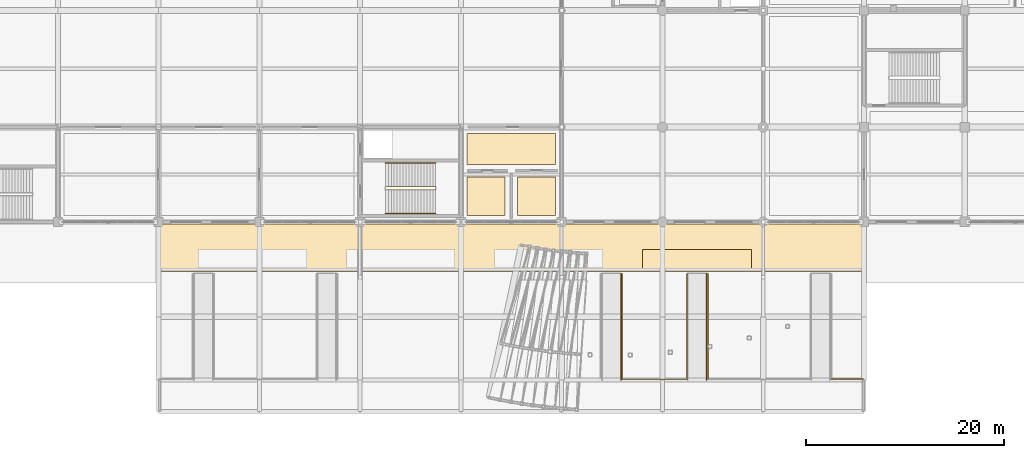
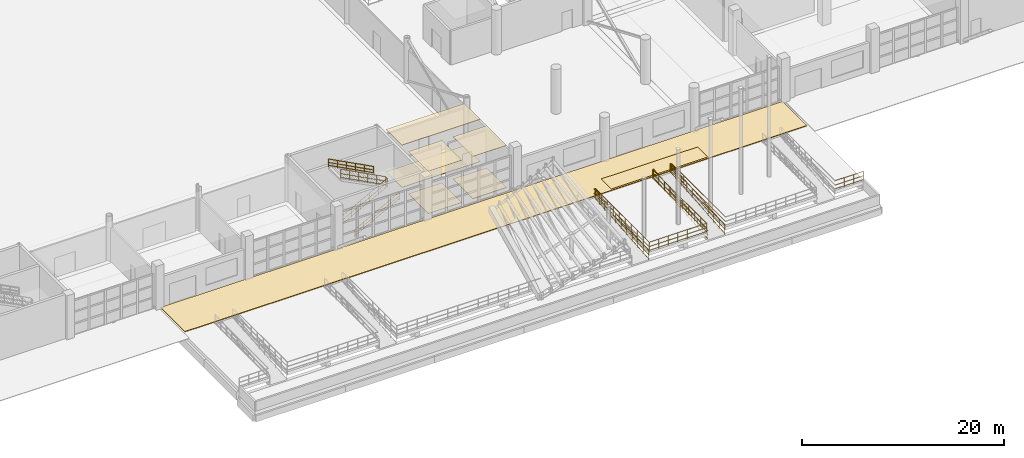
# One storey, part 116 of 124: 10 railings, 8 coverings.
"""IFC4 building model written with IfcOpenShell, lengths in metres."""

import ifcopenshell
import ifcopenshell.guid

model = None  # the IFC model being written
_history = None  # IfcOwnerHistory: only IFC2X3 demands one
_inside = {}  # id of a spatial element -> (the spatial element, [elements in it])
_under = {}  # id of a project, library or spatial element -> (it, [spatial elements below it])
_declared = {}  # id of a project -> (the project, [libraries it declares])
_typed = {}  # id of a type object -> (the type object, [elements of that type])
_made_of = {}  # id of a material, layer set ... -> (it, [elements and type objects made of it])


def new_model(schema):
    """Start an empty IFC model of exactly this schema.

    Asked for "IFC4X3", IfcOpenShell would pick the latest addendum, in which some entities
    have other attributes; the version numbers below select the first issue.
    IFC2X3 requires an IfcOwnerHistory on every rooted entity: one is made here for all.
    """
    global model, _history
    if schema == "IFC4X3":
        model = ifcopenshell.file(schema_version=(4, 3, 0, 0))
    else:
        model = ifcopenshell.file(schema=schema)
    _inside.clear()
    _under.clear()
    _declared.clear()
    _typed.clear()
    _made_of.clear()
    _history = None
    if model.schema == "IFC2X3":
        org = make("IfcOrganization", Name="unknown")
        user = make(
            "IfcPersonAndOrganization",
            ThePerson=make("IfcPerson", FamilyName="unknown"),
            TheOrganization=org,
        )
        app = make(
            "IfcApplication",
            ApplicationDeveloper=org,
            Version="unknown",
            ApplicationFullName="unknown",
            ApplicationIdentifier="unknown",
        )
        _history = make(
            "IfcOwnerHistory",
            OwningUser=user,
            OwningApplication=app,
            ChangeAction="ADDED",
            CreationDate=0,
        )
    return model


def make(cls, **values):
    """One entity of the class cls with the attributes given. An attribute that is None is left unset."""
    return model.create_entity(
        cls, **{name: value for name, value in values.items() if value is not None}
    )


def rooted(cls, **values):
    """An entity with a GlobalId (a new one), such as an element, a storey or a relation."""
    return make(cls, GlobalId=ifcopenshell.guid.new(), OwnerHistory=_history, **values)


def si_unit(unit_type, name, prefix=None):
    """IfcSIUnit, for example si_unit("LENGTHUNIT", "METRE", prefix="MILLI")."""
    return make("IfcSIUnit", UnitType=unit_type, Prefix=prefix, Name=name)


def assignment(units):
    """IfcUnitAssignment: the units of a project."""
    return None if units is None else make("IfcUnitAssignment", Units=units)


def point(xyz):
    """IfcCartesianPoint."""
    return None if xyz is None else make("IfcCartesianPoint", Coordinates=xyz)


def direction(xyz):
    """IfcDirection."""
    return None if xyz is None else make("IfcDirection", DirectionRatios=xyz)


def frame(location, z_axis=None, x_axis=None):
    """IfcAxis2Placement3D, a coordinate frame: its origin and axes. An axis left out is left unset."""
    return make(
        "IfcAxis2Placement3D",
        Location=point(location),
        Axis=direction(z_axis),
        RefDirection=direction(x_axis),
    )


def frame_2d(location, x_axis=None):
    """IfcAxis2Placement2D, a coordinate frame in the plane: its origin and x axis."""
    return make(
        "IfcAxis2Placement2D", Location=point(location), RefDirection=direction(x_axis)
    )


def origin():
    """The frame at (0, 0, 0) with its axes left unset."""
    return frame((0.0, 0.0, 0.0))


def origin_2d():
    """The frame at (0, 0) in the plane with its x axis left unset."""
    return frame_2d((0.0, 0.0))


def place(relative_to, where):
    """IfcLocalPlacement: puts the frame where relative to a parent placement (None: the world)."""
    return make(
        "IfcLocalPlacement", PlacementRelTo=relative_to, RelativePlacement=where
    )


def context(
    kind, dimensions, precision=None, world=None, true_north=None, identifier=None
):
    """IfcGeometricRepresentationContext, for example the 3D "Model" context."""
    return make(
        "IfcGeometricRepresentationContext",
        ContextIdentifier=identifier,
        ContextType=kind,
        CoordinateSpaceDimension=dimensions,
        Precision=precision,
        WorldCoordinateSystem=world,
        TrueNorth=true_north,
    )


def subcontext(parent, identifier, kind, view, scale=None):
    """IfcGeometricRepresentationSubContext, for example "Body" below "Model"."""
    return make(
        "IfcGeometricRepresentationSubContext",
        ContextIdentifier=identifier,
        ContextType=kind,
        ParentContext=parent,
        TargetScale=scale,
        TargetView=view,
    )


def project(units=None, contexts=None):
    """IfcProject with its units and contexts."""
    return rooted(
        "IfcProject",
        Name="project",
        RepresentationContexts=contexts,
        UnitsInContext=assignment(units),
    )


def spatial(cls, under=None, at=None, **own):
    """A site, building, storey or space (cls), placed at a placement, below another one or the project."""
    s = rooted(cls, ObjectPlacement=at, **own)
    if under is not None:
        _under.setdefault(under.id(), (under, []))[1].append(s)
    return s


def polyline(points):
    """IfcPolyline through the points."""
    return make("IfcPolyline", Points=[point(p) for p in points])


def profile(cls, at=None, kind="AREA", **sizes):
    """A parametric profile (cls). Its sizes go by their IFC names, for example OverallWidth=200.0."""
    return make(cls, ProfileType=kind, Position=at, **sizes)


def circle(**sizes):
    """IfcCircleProfileDef."""
    return profile("IfcCircleProfileDef", **sizes)


def outline(outer, holes=None, kind="AREA"):
    """IfcArbitraryClosedProfileDef: a profile drawn as a closed curve; with holes, ...WithVoids."""
    if holes is None:
        return make("IfcArbitraryClosedProfileDef", ProfileType=kind, OuterCurve=outer)
    return make(
        "IfcArbitraryProfileDefWithVoids",
        ProfileType=kind,
        OuterCurve=outer,
        InnerCurves=holes,
    )


def extrude(swept, where, along, depth):
    """IfcExtrudedAreaSolid: the profile swept, set in the frame where, extruded along a direction by depth."""
    return make(
        "IfcExtrudedAreaSolid",
        SweptArea=swept,
        Position=where,
        ExtrudedDirection=direction(along),
        Depth=depth,
    )


def shape(context_of_items, identifier, shape_type, items):
    """IfcShapeRepresentation: the items that make up one representation, for example the "Body"."""
    return make(
        "IfcShapeRepresentation",
        ContextOfItems=context_of_items,
        RepresentationIdentifier=identifier,
        RepresentationType=shape_type,
        Items=items,
    )


def material(Name=None, Category=None):
    """IfcMaterial."""
    return make("IfcMaterial", Name=Name, Category=Category)


def layer(
    of_material, thickness, ventilated=None, Name=None, Category=None, Priority=None
):
    """IfcMaterialLayer: one layer of a wall or slab, of a material (None: an air gap)."""
    return make(
        "IfcMaterialLayer",
        Material=of_material,
        LayerThickness=thickness,
        IsVentilated=ventilated,
        Name=Name,
        Category=Category,
        Priority=Priority,
    )


def layer_set(layers, Name=None):
    """IfcMaterialLayerSet."""
    return make("IfcMaterialLayerSet", MaterialLayers=layers, LayerSetName=Name)


def made_of(thing, what):
    """Note that an element or type object is made of a material, layer set ...; save() writes the relation."""
    if what is not None:
        _made_of.setdefault(what.id(), (what, []))[1].append(thing)
    return thing


def type_object(cls, material=None, **own):
    """A type object (cls), such as IfcWallType, which elements share."""
    return made_of(rooted(cls, **own), material)


def element(
    cls,
    number,
    at=None,
    inside=None,
    cuts=None,
    type_object=None,
    material=None,
    context=None,
    identifier="Body",
    shape_type=None,
    held_by="IfcProductDefinitionShape",
    body=None,
    shapes=None,
    **own,
):
    """One element of the class cls, such as IfcWall. Its Tag is "e" and its number.

    at: its placement. inside: the storey or other place that contains it. cuts: it is an
    opening in that element (IfcRelVoidsElement). A single representation is given by context,
    identifier, shape_type and body (its items); several are given by shapes. held_by: the class
    of the entity that holds the representations. save() writes the other relations.
    """
    e = rooted(cls, Tag="e%d" % number, ObjectPlacement=at, **own)
    if body is not None:
        shapes = [shape(context, identifier, shape_type, body)]
    if shapes is not None:
        e.Representation = make(held_by, Representations=shapes)
    if inside is not None:
        _inside.setdefault(inside.id(), (inside, []))[1].append(e)
    if cuts is not None:
        rooted(
            "IfcRelVoidsElement", RelatingBuildingElement=cuts, RelatedOpeningElement=e
        )
    if type_object is not None:
        _typed.setdefault(type_object.id(), (type_object, []))[1].append(e)
    return made_of(e, material)


def aggregate(whole, parts):
    """IfcRelAggregates: a whole, such as a stair, and the parts it consists of."""
    return rooted("IfcRelAggregates", RelatingObject=whole, RelatedObjects=parts)


def save(model, path):
    """Write the relations noted so far, then the file.

    IfcRelAggregates (storeys below a building ...), IfcRelContainedInSpatialStructure (elements
    in a storey), IfcRelDefinesByType, IfcRelAssociatesMaterial and IfcRelDeclares: one each for
    every whole, place, type object, material and project.
    """
    for whole, parts in _under.values():
        aggregate(whole, parts)
    for where, things in _inside.values():
        rooted(
            "IfcRelContainedInSpatialStructure",
            RelatedElements=things,
            RelatingStructure=where,
        )
    for kind, things in _typed.values():
        rooted("IfcRelDefinesByType", RelatedObjects=things, RelatingType=kind)
    for what, things in _made_of.values():
        rooted("IfcRelAssociatesMaterial", RelatedObjects=things, RelatingMaterial=what)
    for by, libraries in _declared.values():
        rooted("IfcRelDeclares", RelatingContext=by, RelatedDefinitions=libraries)
    model.write(path)


model = new_model("IFC4")

# Units and contexts
model_context = context("Model", 3, precision=1e-05, world=origin(), true_north=direction((0.0, 1.0)))
body_context = subcontext(model_context, "Body", "Model", "MODEL_VIEW")
ifc_project = project(units=[si_unit("LENGTHUNIT", "METRE"), si_unit("AREAUNIT", "SQUARE_METRE"), si_unit("VOLUMEUNIT", "CUBIC_METRE"), si_unit("PLANEANGLEUNIT", "RADIAN"), si_unit("MASSUNIT", "GRAM", prefix="KILO")], contexts=[model_context])

# Site, building, storey
site_placement = place(None, origin())
site = spatial("IfcSite", under=ifc_project, at=site_placement, CompositionType="ELEMENT")
building_placement = place(site_placement, origin())
building = spatial("IfcBuilding", under=site, at=building_placement, Name="Brelvane Convention Centre", CompositionType="ELEMENT")
storey_placement = place(building_placement, origin())
storey = spatial("IfcBuildingStorey", under=building, at=storey_placement, Name="L00", CompositionType="ELEMENT", Elevation=0.0)

# Coverings
ifc_material_1 = material(Name="Perforated Anodised Aluminium Alloy 6063 Acoustic Baffle", Category="aluminium")
ifc_layer_1 = layer(ifc_material_1, 0.06005859375)
ifc_layer_set_1 = layer_set([ifc_layer_1], Name="Perforated Anodised Aluminium Alloy 6063 Acoustic Baffle")
covering_type_1 = type_object("IfcCoveringType", Name="Interior Finish CL-BAF-60", PredefinedType="CEILING", material=ifc_layer_set_1)
covering_1_placement = place(storey_placement, frame((0.0, 0.0, 5.080078125)))
element("IfcCovering", 1, at=covering_1_placement, inside=storey, type_object=covering_type_1, Name="Ground Accessible WC Acoustic Ceiling (CL-BAF-60)", PredefinedType="CEILING", context=body_context, shape_type="SweptSolid", body=[
    extrude(outline(polyline([(133.22998046875, 25.030029296875), (142.169921875, 25.030029296875), (142.169921875, 28.169921875), (133.22998046875, 28.169921875), (133.22998046875, 25.030029296875)])), origin(), (0.0, 0.0, 1.0), 0.059814453125),
])
ifc_material_2 = material(Name="Moisture-Resistant Acoustic Gypsum Ceiling Tile Grade A")
ifc_layer_2 = layer(ifc_material_2, 0.033935546875)
ifc_layer_set_2 = layer_set([ifc_layer_2], Name="Moisture-Resistant Acoustic Gypsum Ceiling Tile Grade A")
covering_type_2 = type_object("IfcCoveringType", Name="Interior Finish CL-GYP-34", PredefinedType="CEILING", material=ifc_layer_set_2)
covering_2_placement = place(storey_placement, frame((0.0, 0.0, 5.10595703125)))
element("IfcCovering", 2, at=covering_2_placement, inside=storey, type_object=covering_type_2, Name="Ground Concourse Male Restroom Acoustic Ceiling (CL-GYP-34)", PredefinedType="CEILING", context=body_context, shape_type="SweptSolid", body=[
    extrude(outline(polyline([(133.22998046875, 19.830078125), (137.070068359375, 19.830078125), (137.070068359375, 23.77001953125), (133.22998046875, 23.77001953125), (133.22998046875, 19.830078125)])), origin(), (0.0, 0.0, 1.0), 0.033935546875),
])
ifc_material_3 = material(Name="Moisture-Resistant Acoustic Gypsum Ceiling Tile Grade A")
ifc_layer_3 = layer(ifc_material_3, 0.0419921875)
ifc_layer_set_3 = layer_set([ifc_layer_3], Name="Moisture-Resistant Acoustic Gypsum Ceiling Tile Grade A")
covering_type_3 = type_object("IfcCoveringType", Name="Interior Finish CL-GYP-42", PredefinedType="CEILING", material=ifc_layer_set_3)
covering_3_placement = place(storey_placement, frame((0.0, 0.0, 5.097900390625)))
element("IfcCovering", 3, at=covering_3_placement, inside=storey, type_object=covering_type_3, Name="Ground Concourse Female Restroom Acoustic Ceiling (CL-GYP-42)", PredefinedType="CEILING", context=body_context, shape_type="SweptSolid", body=[
    extrude(outline(polyline([(138.330078125, 19.830078125), (142.169921875, 19.830078125), (142.169921875, 23.77001953125), (138.330078125, 23.77001953125), (138.330078125, 19.830078125)])), origin(), (0.0, 0.0, 1.0), 0.0419921875),
])
ifc_material_4 = material(Name="Polished Basalt-Aggregate Terrazzo Screed Concrete M30", Category="masonry")
ifc_layer_4 = layer(ifc_material_4, 0.031982421875)
ifc_layer_set_4 = layer_set([ifc_layer_4], Name="Polished Basalt-Aggregate Terrazzo Screed Concrete M30")
covering_type_4 = type_object("IfcCoveringType", Name="Interior Finish FL-STN-32", PredefinedType="FLOORING", material=ifc_layer_set_4)
covering_4_placement = place(storey_placement, origin())
element("IfcCovering", 4, at=covering_4_placement, inside=storey, type_object=covering_type_4, Name="Ground Concourse Male Restroom Floor Finish (FL-STN-32)", PredefinedType="FLOORING", context=body_context, shape_type="SweptSolid", body=[
    extrude(outline(polyline([(133.22998046875, 19.830078125), (137.070068359375, 19.830078125), (137.070068359375, 23.77001953125), (133.22998046875, 23.77001953125), (133.22998046875, 19.830078125)])), origin(), (0.0, 0.0, 1.0), 0.031982421875),
])
ifc_material_5 = material(Name="Polished Basalt-Aggregate Terrazzo Screed Concrete M30", Category="masonry")
ifc_layer_5 = layer(ifc_material_5, 0.054931640625)
ifc_layer_set_5 = layer_set([ifc_layer_5], Name="Polished Basalt-Aggregate Terrazzo Screed Concrete M30")
covering_type_5 = type_object("IfcCoveringType", Name="Interior Finish FL-STN-55", PredefinedType="FLOORING", material=ifc_layer_set_5)
covering_5_placement = place(storey_placement, origin())
element("IfcCovering", 5, at=covering_5_placement, inside=storey, type_object=covering_type_5, Name="Ground Concourse Female Restroom Floor Finish (FL-STN-55)", PredefinedType="FLOORING", context=body_context, shape_type="SweptSolid", body=[
    extrude(outline(polyline([(138.330078125, 19.830078125), (142.169921875, 19.830078125), (142.169921875, 23.77001953125), (138.330078125, 23.77001953125), (138.330078125, 19.830078125)])), origin(), (0.0, 0.0, 1.0), 0.054931640625),
])
ifc_material_6 = material(Name="Polished Basalt-Aggregate Terrazzo Screed Concrete M30", Category="masonry")
ifc_layer_6 = layer(ifc_material_6, 0.0400390625)
ifc_layer_set_6 = layer_set([ifc_layer_6], Name="Polished Basalt-Aggregate Terrazzo Screed Concrete M30")
covering_type_6 = type_object("IfcCoveringType", Name="Interior Finish FL-TER-40", PredefinedType="FLOORING", material=ifc_layer_set_6)
covering_6_placement = place(storey_placement, origin())
element("IfcCovering", 6, at=covering_6_placement, inside=storey, type_object=covering_type_6, Name="Ground Accessible WC Floor Finish (FL-TER-40)", PredefinedType="FLOORING", context=body_context, shape_type="SweptSolid", body=[
    extrude(outline(polyline([(133.22998046875, 25.030029296875), (142.169921875, 25.030029296875), (142.169921875, 28.169921875), (133.22998046875, 28.169921875), (133.22998046875, 25.030029296875)])), origin(), (0.0, 0.0, 1.0), 0.0400390625),
])
ifc_material_7 = material(Name="Concrete M40", Category="concrete")
ifc_layer_7 = layer(ifc_material_7, 0.080078125)
ifc_layer_set_7 = layer_set([ifc_layer_7], Name="Concrete M40")
covering_type_7 = type_object("IfcCoveringType", Name="Outdoor Plaza Paving PV-80", PredefinedType="USERDEFINED", material=ifc_layer_set_7)
covering_7_placement = place(storey_placement, origin())
element("IfcCovering", 7, at=covering_7_placement, inside=storey, type_object=covering_type_7, Name="Outdoor Arrival Plaza Paving SOUTH-FORECOURT-C", ObjectType="PAVING", PredefinedType="USERDEFINED", context=body_context, shape_type="SweptSolid", body=[
    extrude(outline(polyline([(102.199951171875, 14.199951171875), (173.199951171875, 14.199951171875), (173.199951171875, 19.0), (102.199951171875, 19.0), (102.199951171875, 14.199951171875)])), origin(), (0.0, 0.0, 1.0), 0.080078125),
])
covering_8_placement = place(storey_placement, origin())
element("IfcCovering", 8, at=covering_8_placement, inside=storey, type_object=covering_type_7, Name="Boulevard Promenade Stone Walk 4", ObjectType="PAVING", PredefinedType="USERDEFINED", context=body_context, shape_type="SweptSolid", body=[
    extrude(outline(polyline([(151.0, 14.39990234375), (162.0, 14.39990234375), (162.0, 16.39990234375), (151.0, 16.39990234375), (151.0, 14.39990234375)])), origin(), (0.0, 0.0, 1.0), 0.080078125),
])

# Railings
ifc_material_8 = material(Name="Steel E350 (350 MPa)", Category="steel")
railing_type_1 = type_object("IfcRailingType", Name="Railing GR-EXT-1", PredefinedType="GUARDRAIL", material=ifc_material_8)
railing_1_placement = place(storey_placement, frame((148.89990234375, 13.93994140625, 0.0)))
element("IfcRailing", 9, at=railing_1_placement, inside=storey, type_object=railing_type_1, Name="Railing GR-EXT-1 L00-plaza_ramp_e_3", PredefinedType="GUARDRAIL", context=body_context, shape_type="SweptSolid", body=[
    extrude(circle(Radius=0.02392578125, at=origin_2d()), frame((0.0, 0.0, 1.1259765625), z_axis=(0.0, -1.0, 0.0), x_axis=(1.0, 0.0, 0.0)), (0.0, 0.0, 1.0), 10.659912109375),
    extrude(circle(Radius=0.02392578125, at=origin_2d()), frame((0.0, 0.0, 0.597900390625), z_axis=(0.0, -1.0, 0.0), x_axis=(1.0, 0.0, 0.0)), (0.0, 0.0, 1.0), 10.659912109375),
    extrude(circle(Radius=0.02392578125, at=origin_2d()), frame((0.0, 0.0, 0.139892578125), z_axis=(0.0, -1.0, 0.0), x_axis=(1.0, 0.0, 0.0)), (0.0, 0.0, 1.0), 10.659912109375),
    extrude(circle(Radius=0.02099609375, at=origin_2d()), origin(), (0.0, 0.0, 1.0), 1.101806640625),
    extrude(circle(Radius=0.02099609375, at=origin_2d()), frame((0.0, -1.184326171875, 0.0)), (0.0, 0.0, 1.0), 1.101806640625),
    extrude(circle(Radius=0.02099609375, at=origin_2d()), frame((0.0, -2.368896484375, 0.0)), (0.0, 0.0, 1.0), 1.101806640625),
    extrude(circle(Radius=0.02099609375, at=origin_2d()), frame((0.0, -3.55322265625, 0.0)), (0.0, 0.0, 1.0), 1.101806640625),
    extrude(circle(Radius=0.02099609375, at=origin_2d()), frame((0.0, -4.73779296875, 0.0)), (0.0, 0.0, 1.0), 1.101806640625),
    extrude(circle(Radius=0.02099609375, at=origin_2d()), frame((0.0, -5.922119140625, 0.0)), (0.0, 0.0, 1.0), 1.101806640625),
    extrude(circle(Radius=0.02099609375, at=origin_2d()), frame((0.0, -7.106689453125, 0.0)), (0.0, 0.0, 1.0), 1.101806640625),
    extrude(circle(Radius=0.02099609375, at=origin_2d()), frame((0.0, -8.291015625, 0.0)), (0.0, 0.0, 1.0), 1.101806640625),
    extrude(circle(Radius=0.02099609375, at=origin_2d()), frame((0.0, -9.4755859375, 0.0)), (0.0, 0.0, 1.0), 1.101806640625),
    extrude(circle(Radius=0.02099609375, at=origin_2d()), frame((0.0, -10.659912109375, 0.0)), (0.0, 0.0, 1.0), 1.101806640625),
])
railing_2_placement = place(storey_placement, frame((148.780029296875, 3.199951171875, -0.89990234375)))
element("IfcRailing", 10, at=railing_2_placement, inside=storey, type_object=railing_type_1, Name="Ramp AR-03 Sloped Guard (E)", PredefinedType="GUARDRAIL", context=body_context, shape_type="SweptSolid", body=[
    extrude(circle(Radius=0.02392578125, at=origin_2d()), frame((0.0, 0.0, 1.1259765625), z_axis=(0.0, 0.99654653501, 0.083036158149), x_axis=(-1.0, 0.0, 0.0)), (0.0, 0.0, 1.0), 10.83740234375),
    extrude(circle(Radius=0.02392578125, at=origin_2d()), frame((0.0, 0.0, 0.597900390625), z_axis=(0.0, 0.99654653501, 0.083036158149), x_axis=(-1.0, 0.0, 0.0)), (0.0, 0.0, 1.0), 10.83740234375),
    extrude(circle(Radius=0.02392578125, at=origin_2d()), frame((0.0, 0.0, 0.139892578125), z_axis=(0.0, 0.99654653501, 0.083036158149), x_axis=(-1.0, 0.0, 0.0)), (0.0, 0.0, 1.0), 10.83740234375),
    extrude(circle(Radius=0.02099609375, at=origin_2d()), origin(), (0.0, 0.0, 1.0), 1.101806640625),
    extrude(circle(Radius=0.02099609375, at=origin_2d()), frame((0.0, 1.080078125, 0.090087890625)), (0.0, 0.0, 1.0), 1.101806640625),
    extrude(circle(Radius=0.02099609375, at=origin_2d()), frame((0.0, 2.159912109375, 0.179931640625)), (0.0, 0.0, 1.0), 1.101806640625),
    extrude(circle(Radius=0.02099609375, at=origin_2d()), frame((0.0, 3.239990234375, 0.27001953125)), (0.0, 0.0, 1.0), 1.101806640625),
    extrude(circle(Radius=0.02099609375, at=origin_2d()), frame((0.0, 4.320068359375, 0.35986328125)), (0.0, 0.0, 1.0), 1.101806640625),
    extrude(circle(Radius=0.02099609375, at=origin_2d()), frame((0.0, 5.39990234375, 0.449951171875)), (0.0, 0.0, 1.0), 1.101806640625),
    extrude(circle(Radius=0.02099609375, at=origin_2d()), frame((0.0, 6.47998046875, 0.5400390625)), (0.0, 0.0, 1.0), 1.101806640625),
    extrude(circle(Radius=0.02099609375, at=origin_2d()), frame((0.0, 7.56005859375, 0.6298828125)), (0.0, 0.0, 1.0), 1.101806640625),
    extrude(circle(Radius=0.02099609375, at=origin_2d()), frame((0.0, 8.64013671875, 0.719970703125)), (0.0, 0.0, 1.0), 1.101806640625),
    extrude(circle(Radius=0.02099609375, at=origin_2d()), frame((0.0, 9.719970703125, 0.809814453125)), (0.0, 0.0, 1.0), 1.101806640625),
    extrude(circle(Radius=0.02099609375, at=origin_2d()), frame((0.0, 10.800048828125, 0.89990234375)), (0.0, 0.0, 1.0), 1.101806640625),
])
railing_3_placement = place(storey_placement, frame((148.89990234375, 3.280029296875, 0.0)))
element("IfcRailing", 11, at=railing_3_placement, inside=storey, type_object=railing_type_1, Name="Railing GR-EXT-1 L00-plaza_step_seg_4", PredefinedType="GUARDRAIL", context=body_context, shape_type="SweptSolid", body=[
    extrude(circle(Radius=0.02392578125, at=origin_2d()), frame((0.0, 0.0, 1.1259765625), z_axis=(1.0, 0.0, 0.0), x_axis=(0.0, 1.0, 0.0)), (0.0, 0.0, 1.0), 6.5400390625),
    extrude(circle(Radius=0.02392578125, at=origin_2d()), frame((0.0, 0.0, 0.597900390625), z_axis=(1.0, 0.0, 0.0), x_axis=(0.0, 1.0, 0.0)), (0.0, 0.0, 1.0), 6.5400390625),
    extrude(circle(Radius=0.02392578125, at=origin_2d()), frame((0.0, 0.0, 0.139892578125), z_axis=(1.0, 0.0, 0.0), x_axis=(0.0, 1.0, 0.0)), (0.0, 0.0, 1.0), 6.5400390625),
    extrude(circle(Radius=0.02392578125, at=origin_2d()), frame((6.5400390625, 0.0, 1.1259765625), z_axis=(0.0, 1.0, 0.0), x_axis=(-1.0, 0.0, 0.0)), (0.0, 0.0, 1.0), 10.659912109375),
    extrude(circle(Radius=0.02392578125, at=origin_2d()), frame((6.5400390625, 0.0, 0.597900390625), z_axis=(0.0, 1.0, 0.0), x_axis=(-1.0, 0.0, 0.0)), (0.0, 0.0, 1.0), 10.659912109375),
    extrude(circle(Radius=0.02392578125, at=origin_2d()), frame((6.5400390625, 0.0, 0.139892578125), z_axis=(0.0, 1.0, 0.0), x_axis=(-1.0, 0.0, 0.0)), (0.0, 0.0, 1.0), 10.659912109375),
    extrude(circle(Radius=0.02099609375, at=origin_2d()), origin(), (0.0, 0.0, 1.0), 1.101806640625),
    extrude(circle(Radius=0.02099609375, at=origin_2d()), frame((1.090087890625, 0.0, 0.0)), (0.0, 0.0, 1.0), 1.101806640625),
    extrude(circle(Radius=0.02099609375, at=origin_2d()), frame((2.179931640625, 0.0, 0.0)), (0.0, 0.0, 1.0), 1.101806640625),
    extrude(circle(Radius=0.02099609375, at=origin_2d()), frame((3.27001953125, 0.0, 0.0)), (0.0, 0.0, 1.0), 1.101806640625),
    extrude(circle(Radius=0.02099609375, at=origin_2d()), frame((4.360107421875, 0.0, 0.0)), (0.0, 0.0, 1.0), 1.101806640625),
    extrude(circle(Radius=0.02099609375, at=origin_2d()), frame((5.449951171875, 0.0, 0.0)), (0.0, 0.0, 1.0), 1.101806640625),
    extrude(circle(Radius=0.02099609375, at=origin_2d()), frame((6.5400390625, 0.0, 0.0)), (0.0, 0.0, 1.0), 1.101806640625),
    extrude(circle(Radius=0.02099609375, at=origin_2d()), frame((6.5400390625, 1.184326171875, 0.0)), (0.0, 0.0, 1.0), 1.101806640625),
    extrude(circle(Radius=0.02099609375, at=origin_2d()), frame((6.5400390625, 2.368896484375, 0.0)), (0.0, 0.0, 1.0), 1.101806640625),
    extrude(circle(Radius=0.02099609375, at=origin_2d()), frame((6.5400390625, 3.55322265625, 0.0)), (0.0, 0.0, 1.0), 1.101806640625),
    extrude(circle(Radius=0.02099609375, at=origin_2d()), frame((6.5400390625, 4.73779296875, 0.0)), (0.0, 0.0, 1.0), 1.101806640625),
    extrude(circle(Radius=0.02099609375, at=origin_2d()), frame((6.5400390625, 5.922119140625, 0.0)), (0.0, 0.0, 1.0), 1.101806640625),
    extrude(circle(Radius=0.02099609375, at=origin_2d()), frame((6.5400390625, 7.106689453125, 0.0)), (0.0, 0.0, 1.0), 1.101806640625),
    extrude(circle(Radius=0.02099609375, at=origin_2d()), frame((6.5400390625, 8.291015625, 0.0)), (0.0, 0.0, 1.0), 1.101806640625),
    extrude(circle(Radius=0.02099609375, at=origin_2d()), frame((6.5400390625, 9.4755859375, 0.0)), (0.0, 0.0, 1.0), 1.101806640625),
    extrude(circle(Radius=0.02099609375, at=origin_2d()), frame((6.5400390625, 10.659912109375, 0.0)), (0.0, 0.0, 1.0), 1.101806640625),
])
railing_4_placement = place(storey_placement, frame((157.60009765625, 13.93994140625, 0.0)))
element("IfcRailing", 12, at=railing_4_placement, inside=storey, type_object=railing_type_1, Name="Railing GR-EXT-1 L00-plaza_ramp_e_4", PredefinedType="GUARDRAIL", context=body_context, shape_type="SweptSolid", body=[
    extrude(circle(Radius=0.02392578125, at=origin_2d()), frame((0.0, 0.0, 1.1259765625), z_axis=(0.0, -1.0, 0.0), x_axis=(1.0, 0.0, 0.0)), (0.0, 0.0, 1.0), 10.659912109375),
    extrude(circle(Radius=0.02392578125, at=origin_2d()), frame((0.0, 0.0, 0.597900390625), z_axis=(0.0, -1.0, 0.0), x_axis=(1.0, 0.0, 0.0)), (0.0, 0.0, 1.0), 10.659912109375),
    extrude(circle(Radius=0.02392578125, at=origin_2d()), frame((0.0, 0.0, 0.139892578125), z_axis=(0.0, -1.0, 0.0), x_axis=(1.0, 0.0, 0.0)), (0.0, 0.0, 1.0), 10.659912109375),
    extrude(circle(Radius=0.02099609375, at=origin_2d()), origin(), (0.0, 0.0, 1.0), 1.101806640625),
    extrude(circle(Radius=0.02099609375, at=origin_2d()), frame((0.0, -1.184326171875, 0.0)), (0.0, 0.0, 1.0), 1.101806640625),
    extrude(circle(Radius=0.02099609375, at=origin_2d()), frame((0.0, -2.368896484375, 0.0)), (0.0, 0.0, 1.0), 1.101806640625),
    extrude(circle(Radius=0.02099609375, at=origin_2d()), frame((0.0, -3.55322265625, 0.0)), (0.0, 0.0, 1.0), 1.101806640625),
    extrude(circle(Radius=0.02099609375, at=origin_2d()), frame((0.0, -4.73779296875, 0.0)), (0.0, 0.0, 1.0), 1.101806640625),
    extrude(circle(Radius=0.02099609375, at=origin_2d()), frame((0.0, -5.922119140625, 0.0)), (0.0, 0.0, 1.0), 1.101806640625),
    extrude(circle(Radius=0.02099609375, at=origin_2d()), frame((0.0, -7.106689453125, 0.0)), (0.0, 0.0, 1.0), 1.101806640625),
    extrude(circle(Radius=0.02099609375, at=origin_2d()), frame((0.0, -8.291015625, 0.0)), (0.0, 0.0, 1.0), 1.101806640625),
    extrude(circle(Radius=0.02099609375, at=origin_2d()), frame((0.0, -9.4755859375, 0.0)), (0.0, 0.0, 1.0), 1.101806640625),
    extrude(circle(Radius=0.02099609375, at=origin_2d()), frame((0.0, -10.659912109375, 0.0)), (0.0, 0.0, 1.0), 1.101806640625),
])
railing_5_placement = place(storey_placement, frame((155.56005859375, 3.199951171875, -0.89990234375)))
element("IfcRailing", 13, at=railing_5_placement, inside=storey, type_object=railing_type_1, Name="Ramp AR-04 Sloped Guard (W)", PredefinedType="GUARDRAIL", context=body_context, shape_type="SweptSolid", body=[
    extrude(circle(Radius=0.02392578125, at=origin_2d()), frame((0.0, 0.0, 1.1259765625), z_axis=(0.0, 0.99654653501, 0.083036158149), x_axis=(-1.0, 0.0, 0.0)), (0.0, 0.0, 1.0), 10.83740234375),
    extrude(circle(Radius=0.02392578125, at=origin_2d()), frame((0.0, 0.0, 0.597900390625), z_axis=(0.0, 0.99654653501, 0.083036158149), x_axis=(-1.0, 0.0, 0.0)), (0.0, 0.0, 1.0), 10.83740234375),
    extrude(circle(Radius=0.02392578125, at=origin_2d()), frame((0.0, 0.0, 0.139892578125), z_axis=(0.0, 0.99654653501, 0.083036158149), x_axis=(-1.0, 0.0, 0.0)), (0.0, 0.0, 1.0), 10.83740234375),
    extrude(circle(Radius=0.02099609375, at=origin_2d()), origin(), (0.0, 0.0, 1.0), 1.101806640625),
    extrude(circle(Radius=0.02099609375, at=origin_2d()), frame((0.0, 1.080078125, 0.090087890625)), (0.0, 0.0, 1.0), 1.101806640625),
    extrude(circle(Radius=0.02099609375, at=origin_2d()), frame((0.0, 2.159912109375, 0.179931640625)), (0.0, 0.0, 1.0), 1.101806640625),
    extrude(circle(Radius=0.02099609375, at=origin_2d()), frame((0.0, 3.239990234375, 0.27001953125)), (0.0, 0.0, 1.0), 1.101806640625),
    extrude(circle(Radius=0.02099609375, at=origin_2d()), frame((0.0, 4.320068359375, 0.35986328125)), (0.0, 0.0, 1.0), 1.101806640625),
    extrude(circle(Radius=0.02099609375, at=origin_2d()), frame((0.0, 5.39990234375, 0.449951171875)), (0.0, 0.0, 1.0), 1.101806640625),
    extrude(circle(Radius=0.02099609375, at=origin_2d()), frame((0.0, 6.47998046875, 0.5400390625)), (0.0, 0.0, 1.0), 1.101806640625),
    extrude(circle(Radius=0.02099609375, at=origin_2d()), frame((0.0, 7.56005859375, 0.6298828125)), (0.0, 0.0, 1.0), 1.101806640625),
    extrude(circle(Radius=0.02099609375, at=origin_2d()), frame((0.0, 8.64013671875, 0.719970703125)), (0.0, 0.0, 1.0), 1.101806640625),
    extrude(circle(Radius=0.02099609375, at=origin_2d()), frame((0.0, 9.719970703125, 0.809814453125)), (0.0, 0.0, 1.0), 1.101806640625),
    extrude(circle(Radius=0.02099609375, at=origin_2d()), frame((0.0, 10.800048828125, 0.89990234375)), (0.0, 0.0, 1.0), 1.101806640625),
])
railing_6_placement = place(storey_placement, frame((157.47998046875, 3.199951171875, -0.89990234375)))
element("IfcRailing", 14, at=railing_6_placement, inside=storey, type_object=railing_type_1, Name="Ramp AR-04 Sloped Guard (E)", PredefinedType="GUARDRAIL", context=body_context, shape_type="SweptSolid", body=[
    extrude(circle(Radius=0.02392578125, at=origin_2d()), frame((0.0, 0.0, 1.1259765625), z_axis=(0.0, 0.99654653501, 0.083036158149), x_axis=(-1.0, 0.0, 0.0)), (0.0, 0.0, 1.0), 10.83740234375),
    extrude(circle(Radius=0.02392578125, at=origin_2d()), frame((0.0, 0.0, 0.597900390625), z_axis=(0.0, 0.99654653501, 0.083036158149), x_axis=(-1.0, 0.0, 0.0)), (0.0, 0.0, 1.0), 10.83740234375),
    extrude(circle(Radius=0.02392578125, at=origin_2d()), frame((0.0, 0.0, 0.139892578125), z_axis=(0.0, 0.99654653501, 0.083036158149), x_axis=(-1.0, 0.0, 0.0)), (0.0, 0.0, 1.0), 10.83740234375),
    extrude(circle(Radius=0.02099609375, at=origin_2d()), origin(), (0.0, 0.0, 1.0), 1.101806640625),
    extrude(circle(Radius=0.02099609375, at=origin_2d()), frame((0.0, 1.080078125, 0.090087890625)), (0.0, 0.0, 1.0), 1.101806640625),
    extrude(circle(Radius=0.02099609375, at=origin_2d()), frame((0.0, 2.159912109375, 0.179931640625)), (0.0, 0.0, 1.0), 1.101806640625),
    extrude(circle(Radius=0.02099609375, at=origin_2d()), frame((0.0, 3.239990234375, 0.27001953125)), (0.0, 0.0, 1.0), 1.101806640625),
    extrude(circle(Radius=0.02099609375, at=origin_2d()), frame((0.0, 4.320068359375, 0.35986328125)), (0.0, 0.0, 1.0), 1.101806640625),
    extrude(circle(Radius=0.02099609375, at=origin_2d()), frame((0.0, 5.39990234375, 0.449951171875)), (0.0, 0.0, 1.0), 1.101806640625),
    extrude(circle(Radius=0.02099609375, at=origin_2d()), frame((0.0, 6.47998046875, 0.5400390625)), (0.0, 0.0, 1.0), 1.101806640625),
    extrude(circle(Radius=0.02099609375, at=origin_2d()), frame((0.0, 7.56005859375, 0.6298828125)), (0.0, 0.0, 1.0), 1.101806640625),
    extrude(circle(Radius=0.02099609375, at=origin_2d()), frame((0.0, 8.64013671875, 0.719970703125)), (0.0, 0.0, 1.0), 1.101806640625),
    extrude(circle(Radius=0.02099609375, at=origin_2d()), frame((0.0, 9.719970703125, 0.809814453125)), (0.0, 0.0, 1.0), 1.101806640625),
    extrude(circle(Radius=0.02099609375, at=origin_2d()), frame((0.0, 10.800048828125, 0.89990234375)), (0.0, 0.0, 1.0), 1.101806640625),
])
railing_7_placement = place(storey_placement, frame((170.10009765625, 3.280029296875, 0.0)))
element("IfcRailing", 15, at=railing_7_placement, inside=storey, type_object=railing_type_1, Name="Railing GR-EXT-1 L00-plaza_step_seg_end", PredefinedType="GUARDRAIL", context=body_context, shape_type="SweptSolid", body=[
    extrude(circle(Radius=0.02392578125, at=origin_2d()), frame((0.0, 0.0, 1.1259765625), z_axis=(1.0, 0.0, 0.0), x_axis=(0.0, 1.0, 0.0)), (0.0, 0.0, 1.0), 3.219970703125),
    extrude(circle(Radius=0.02392578125, at=origin_2d()), frame((0.0, 0.0, 0.597900390625), z_axis=(1.0, 0.0, 0.0), x_axis=(0.0, 1.0, 0.0)), (0.0, 0.0, 1.0), 3.219970703125),
    extrude(circle(Radius=0.02392578125, at=origin_2d()), frame((0.0, 0.0, 0.139892578125), z_axis=(1.0, 0.0, 0.0), x_axis=(0.0, 1.0, 0.0)), (0.0, 0.0, 1.0), 3.219970703125),
    extrude(circle(Radius=0.02099609375, at=origin_2d()), origin(), (0.0, 0.0, 1.0), 1.101806640625),
    extrude(circle(Radius=0.02099609375, at=origin_2d()), frame((1.0732421875, 0.0, 0.0)), (0.0, 0.0, 1.0), 1.101806640625),
    extrude(circle(Radius=0.02099609375, at=origin_2d()), frame((2.146728515625, 0.0, 0.0)), (0.0, 0.0, 1.0), 1.101806640625),
    extrude(circle(Radius=0.02099609375, at=origin_2d()), frame((3.219970703125, 0.0, 0.0)), (0.0, 0.0, 1.0), 1.101806640625),
])
ifc_material_9 = material(Name="Steel E350 (350 MPa)", Category="steel")
railing_type_2 = type_object("IfcRailingType", Name="Stair Railing GR-ST-1", PredefinedType="GUARDRAIL", material=ifc_material_9)
railing_8_placement = place(storey_placement, frame((124.949951171875, 22.43994140625, -0.02001953125)))
element("IfcRailing", 16, at=railing_8_placement, inside=storey, type_object=railing_type_2, Name="Stair ST-02 L00 Inner Well Guard", PredefinedType="GUARDRAIL", context=body_context, shape_type="SweptSolid", body=[
    extrude(circle(Radius=0.02392578125, at=origin_2d()), frame((0.0, 0.0, 1.1259765625), z_axis=(0.882358787245, 0.0, 0.470577273753), x_axis=(0.0, 1.0, 0.0)), (0.0, 0.0, 1.0), 5.780029296875),
    extrude(circle(Radius=0.02392578125, at=origin_2d()), frame((0.0, 0.0, 0.597900390625), z_axis=(0.882358787245, 0.0, 0.470577273753), x_axis=(0.0, 1.0, 0.0)), (0.0, 0.0, 1.0), 5.780029296875),
    extrude(circle(Radius=0.02392578125, at=origin_2d()), frame((0.0, 0.0, 0.139892578125), z_axis=(0.882358787245, 0.0, 0.470577273753), x_axis=(0.0, 1.0, 0.0)), (0.0, 0.0, 1.0), 5.780029296875),
    extrude(circle(Radius=0.02392578125, at=origin_2d()), frame((5.10009765625, 0.0, 3.845947265625), z_axis=(0.0, 1.0, 0.0), x_axis=(-1.0, 0.0, 0.0)), (0.0, 0.0, 1.0), 0.320068359375),
    extrude(circle(Radius=0.02392578125, at=origin_2d()), frame((5.10009765625, 0.0, 3.31787109375), z_axis=(0.0, 1.0, 0.0), x_axis=(-1.0, 0.0, 0.0)), (0.0, 0.0, 1.0), 0.320068359375),
    extrude(circle(Radius=0.02392578125, at=origin_2d()), frame((5.10009765625, 0.0, 2.85986328125), z_axis=(0.0, 1.0, 0.0), x_axis=(-1.0, 0.0, 0.0)), (0.0, 0.0, 1.0), 0.320068359375),
    extrude(circle(Radius=0.02392578125, at=origin_2d()), frame((5.10009765625, 0.320068359375, 3.845947265625), z_axis=(-0.885227801088, 0.0, 0.465157758379), x_axis=(0.0, -1.0, 0.0)), (0.0, 0.0, 1.0), 5.76123046875),
    extrude(circle(Radius=0.02392578125, at=origin_2d()), frame((5.10009765625, 0.320068359375, 3.31787109375), z_axis=(-0.885227801088, 0.0, 0.465157758379), x_axis=(0.0, -1.0, 0.0)), (0.0, 0.0, 1.0), 5.76123046875),
    extrude(circle(Radius=0.02392578125, at=origin_2d()), frame((5.10009765625, 0.320068359375, 2.85986328125), z_axis=(-0.885227801088, 0.0, 0.465157758379), x_axis=(0.0, -1.0, 0.0)), (0.0, 0.0, 1.0), 5.76123046875),
    extrude(circle(Radius=0.02099609375, at=origin_2d()), origin(), (0.0, 0.0, 1.0), 1.101806640625),
    extrude(circle(Radius=0.02099609375, at=origin_2d()), frame((1.02001953125, 0.0, 0.5439453125)), (0.0, 0.0, 1.0), 1.101806640625),
    extrude(circle(Radius=0.02099609375, at=origin_2d()), frame((2.0400390625, 0.0, 1.087890625)), (0.0, 0.0, 1.0), 1.101806640625),
    extrude(circle(Radius=0.02099609375, at=origin_2d()), frame((3.06005859375, 0.0, 1.632080078125)), (0.0, 0.0, 1.0), 1.101806640625),
    extrude(circle(Radius=0.02099609375, at=origin_2d()), frame((4.080078125, 0.0, 2.176025390625)), (0.0, 0.0, 1.0), 1.101806640625),
    extrude(circle(Radius=0.02099609375, at=origin_2d()), frame((5.10009765625, 0.0, 2.719970703125)), (0.0, 0.0, 1.0), 1.101806640625),
    extrude(circle(Radius=0.02099609375, at=origin_2d()), frame((5.10009765625, 0.320068359375, 2.719970703125)), (0.0, 0.0, 1.0), 1.101806640625),
    extrude(circle(Radius=0.02099609375, at=origin_2d()), frame((4.080078125, 0.320068359375, 3.255859375)), (0.0, 0.0, 1.0), 1.101806640625),
    extrude(circle(Radius=0.02099609375, at=origin_2d()), frame((3.06005859375, 0.320068359375, 3.7919921875)), (0.0, 0.0, 1.0), 1.101806640625),
    extrude(circle(Radius=0.02099609375, at=origin_2d()), frame((2.0400390625, 0.320068359375, 4.327880859375)), (0.0, 0.0, 1.0), 1.101806640625),
    extrude(circle(Radius=0.02099609375, at=origin_2d()), frame((1.02001953125, 0.320068359375, 4.864013671875)), (0.0, 0.0, 1.0), 1.101806640625),
    extrude(circle(Radius=0.02099609375, at=origin_2d()), frame((0.0, 0.320068359375, 5.39990234375)), (0.0, 0.0, 1.0), 1.101806640625),
])
ifc_material_10 = material(Name="Steel E350 (350 MPa)", Category="steel")
railing_type_3 = type_object("IfcRailingType", Name="Stair Railing HR-ST-1", PredefinedType="HANDRAIL", material=ifc_material_10)
railing_9_placement = place(storey_placement, frame((124.949951171875, 20.030029296875, -0.02001953125)))
element("IfcRailing", 17, at=railing_9_placement, inside=storey, type_object=railing_type_3, Name="Stair ST-02 L00 Outer Handrail F1", PredefinedType="HANDRAIL", context=body_context, shape_type="SweptSolid", body=[
    extrude(circle(Radius=0.02392578125, at=origin_2d()), frame((0.0, 0.0, 0.89599609375), z_axis=(0.882358787245, 0.0, 0.470577273753), x_axis=(0.0, 1.0, 0.0)), (0.0, 0.0, 1.0), 5.780029296875),
    extrude(circle(Radius=0.02392578125, at=origin_2d()), frame((0.0, 0.0, 0.478271484375), z_axis=(0.882358787245, 0.0, 0.470577273753), x_axis=(0.0, 1.0, 0.0)), (0.0, 0.0, 1.0), 5.780029296875),
    extrude(circle(Radius=0.02392578125, at=origin_2d()), frame((0.0, 0.0, 0.139892578125), z_axis=(0.882358787245, 0.0, 0.470577273753), x_axis=(0.0, 1.0, 0.0)), (0.0, 0.0, 1.0), 5.780029296875),
    extrude(circle(Radius=0.02099609375, at=origin_2d()), origin(), (0.0, 0.0, 1.0), 0.871826171875),
    extrude(circle(Radius=0.02099609375, at=origin_2d()), frame((1.02001953125, 0.0, 0.5439453125)), (0.0, 0.0, 1.0), 0.871826171875),
    extrude(circle(Radius=0.02099609375, at=origin_2d()), frame((2.0400390625, 0.0, 1.087890625)), (0.0, 0.0, 1.0), 0.871826171875),
    extrude(circle(Radius=0.02099609375, at=origin_2d()), frame((3.06005859375, 0.0, 1.632080078125)), (0.0, 0.0, 1.0), 0.871826171875),
    extrude(circle(Radius=0.02099609375, at=origin_2d()), frame((4.080078125, 0.0, 2.176025390625)), (0.0, 0.0, 1.0), 0.871826171875),
    extrude(circle(Radius=0.02099609375, at=origin_2d()), frame((5.10009765625, 0.0, 2.719970703125)), (0.0, 0.0, 1.0), 0.871826171875),
])
railing_10_placement = place(storey_placement, frame((130.050048828125, 25.169921875, 2.699951171875)))
element("IfcRailing", 18, at=railing_10_placement, inside=storey, type_object=railing_type_3, Name="Stair ST-02 L00 Outer Handrail F2", PredefinedType="HANDRAIL", context=body_context, shape_type="SweptSolid", body=[
    extrude(circle(Radius=0.02392578125, at=origin_2d()), frame((0.0, 0.0, 0.89599609375), z_axis=(-0.885227801088, 0.0, 0.465157758379), x_axis=(0.0, -1.0, 0.0)), (0.0, 0.0, 1.0), 5.76123046875),
    extrude(circle(Radius=0.02392578125, at=origin_2d()), frame((0.0, 0.0, 0.478271484375), z_axis=(-0.885227801088, 0.0, 0.465157758379), x_axis=(0.0, -1.0, 0.0)), (0.0, 0.0, 1.0), 5.76123046875),
    extrude(circle(Radius=0.02392578125, at=origin_2d()), frame((0.0, 0.0, 0.139892578125), z_axis=(-0.885227801088, 0.0, 0.465157758379), x_axis=(0.0, -1.0, 0.0)), (0.0, 0.0, 1.0), 5.76123046875),
    extrude(circle(Radius=0.02099609375, at=origin_2d()), origin(), (0.0, 0.0, 1.0), 0.871826171875),
    extrude(circle(Radius=0.02099609375, at=origin_2d()), frame((-1.02001953125, 0.0, 0.535888671875)), (0.0, 0.0, 1.0), 0.871826171875),
    extrude(circle(Radius=0.02099609375, at=origin_2d()), frame((-2.0400390625, 0.0, 1.072021484375)), (0.0, 0.0, 1.0), 0.871826171875),
    extrude(circle(Radius=0.02099609375, at=origin_2d()), frame((-3.06005859375, 0.0, 1.60791015625)), (0.0, 0.0, 1.0), 0.871826171875),
    extrude(circle(Radius=0.02099609375, at=origin_2d()), frame((-4.080078125, 0.0, 2.14404296875)), (0.0, 0.0, 1.0), 0.871826171875),
    extrude(circle(Radius=0.02099609375, at=origin_2d()), frame((-5.10009765625, 0.0, 2.679931640625)), (0.0, 0.0, 1.0), 0.871826171875),
])

save(model, "model.ifc")
